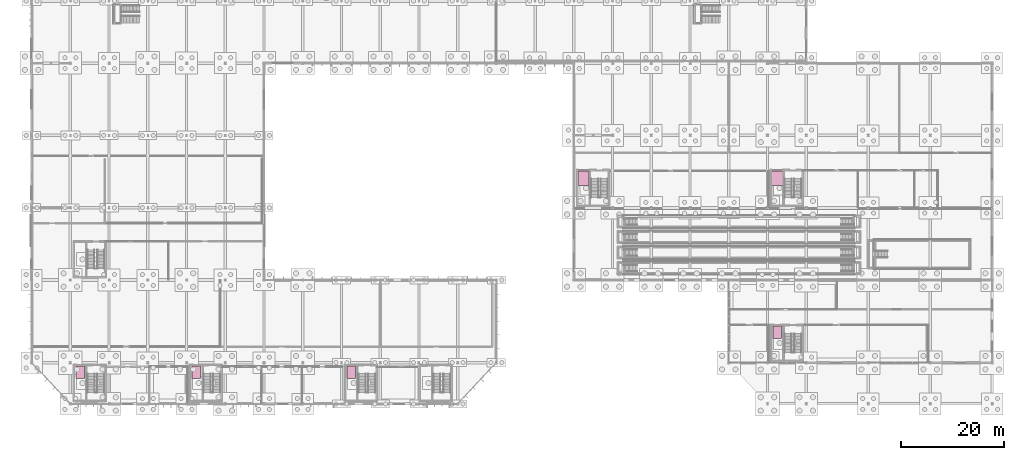
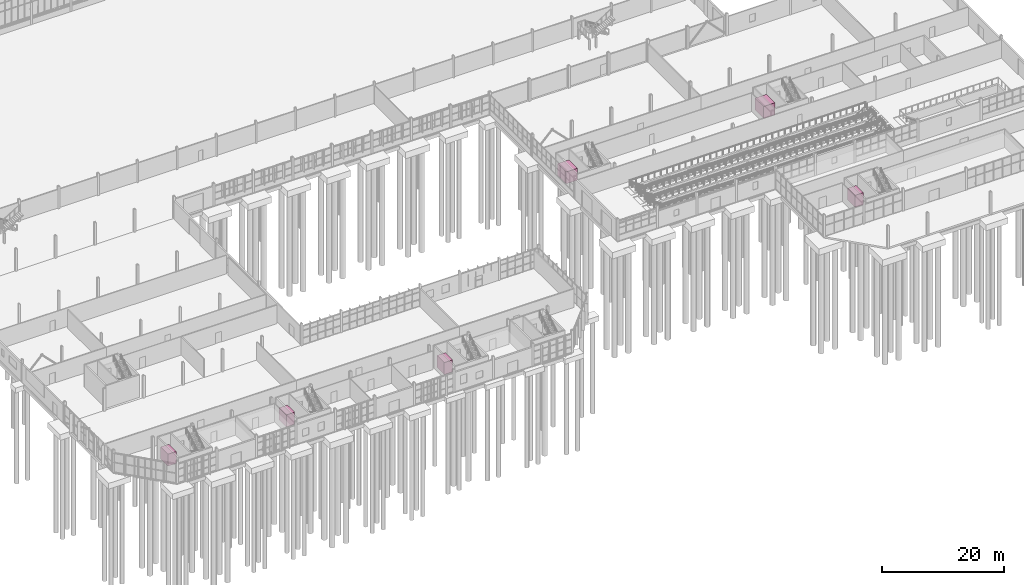
# One storey, part 136 of 136: 6 transport elements.
"""IFC4 building model written with IfcOpenShell, lengths in metres."""

from ifc_helpers import new_model, si_unit, direction, frame, origin, origin_2d, place, context, subcontext, project, spatial, rectangle, extrude, material, type_object, element, save


model = new_model("IFC4")

# Units and contexts
model_context = context("Model", 3, precision=1e-05, world=origin(), true_north=direction((0.0, 1.0)))
body_context = subcontext(model_context, "Body", "Model", "MODEL_VIEW")
ifc_project = project(units=[si_unit("LENGTHUNIT", "METRE"), si_unit("AREAUNIT", "SQUARE_METRE"), si_unit("VOLUMEUNIT", "CUBIC_METRE"), si_unit("PLANEANGLEUNIT", "RADIAN"), si_unit("MASSUNIT", "GRAM", prefix="KILO")], contexts=[model_context])

# Site, building, storey
site_placement = place(None, origin())
site = spatial("IfcSite", under=ifc_project, at=site_placement, CompositionType="ELEMENT")
building_placement = place(site_placement, origin())
building = spatial("IfcBuilding", under=site, at=building_placement, Name="Solvenia Promenade Tram Depot", CompositionType="ELEMENT")
storey_placement = place(building_placement, origin())
storey = spatial("IfcBuildingStorey", under=building, at=storey_placement, Name="L00", CompositionType="ELEMENT", Elevation=0.0)

# Transport elements
ifc_material = material(Name="Galvanized painted sheet steel", Category="steel")
transport_element_type_1 = type_object("IfcTransportElementType", Name="Lift-Fire-1600x2400", PredefinedType="ELEVATOR", material=ifc_material)
transport_element_placement = place(storey_placement, frame((9.39990234375, 6.14990234375, 0.0), z_axis=(0.0, 0.0, 1.0), x_axis=(1.0, 0.0, 0.0)))
element("IfcTransportElement", 1, at=transport_element_placement, inside=storey, type_object=transport_element_type_1, Name="Firefighting Lift LF-01", PredefinedType="ELEVATOR", context=body_context, shape_type="SweptSolid", body=[
    extrude(rectangle(XDim=1.60009765625, YDim=2.39990234375, at=origin_2d()), origin(), (0.0, 0.0, 1.0), 2.39990234375),
])
transport_element_type_2 = type_object("IfcTransportElementType", Name="Lift-Goods-2200x2800", PredefinedType="ELEVATOR", material=ifc_material)
for number, where, z_axis, x_axis, name in (
    (2, (106.89990234375, 43.699951171875, 0.0), (0.0, 0.0, 1.0), (1.0, 0.0, 0.0), "Heavy Workshop Goods Lift LG-01"),
    (3, (144.39990234375, 43.699951171875, 0.0), (0.0, 0.0, 1.0), (1.0, 0.0, 0.0), "Heavy Workshop Goods Lift LG-02"),
):
    element("IfcTransportElement", number, at=place(storey_placement, frame(where, z_axis=z_axis, x_axis=x_axis)), inside=storey, type_object=transport_element_type_2, Name=name, PredefinedType="ELEVATOR", context=body_context, shape_type="SweptSolid", body=[
        extrude(rectangle(XDim=2.14990234375, YDim=2.800048828125, at=origin_2d()), origin(), (0.0, 0.0, 1.0), 2.39990234375),
    ])
transport_element_type_3 = type_object("IfcTransportElementType", Name="Lift-Pass-1600x2400", PredefinedType="ELEVATOR", material=ifc_material)
for number, where, z_axis, x_axis, name in (
    (4, (31.89990234375, 6.14990234375, 0.0), (0.0, 0.0, 1.0), (1.0, 0.0, 0.0), "Accessible Passenger Lift LF-02"),
    (5, (61.89990234375, 6.14990234375, 0.0), (0.0, 0.0, 1.0), (1.0, 0.0, 0.0), "Accessible Passenger Lift LF-03"),
    (6, (144.39990234375, 13.89990234375, 0.0), (0.0, 0.0, 1.0), (1.0, 0.0, 0.0), "Accessible Passenger Lift LF-04"),
):
    element("IfcTransportElement", number, at=place(storey_placement, frame(where, z_axis=z_axis, x_axis=x_axis)), inside=storey, type_object=transport_element_type_3, Name=name, PredefinedType="ELEVATOR", context=body_context, shape_type="SweptSolid", body=[
        extrude(rectangle(XDim=1.60009765625, YDim=2.39990234375, at=origin_2d()), origin(), (0.0, 0.0, 1.0), 2.39990234375),
    ])

save(model, "model.ifc")
